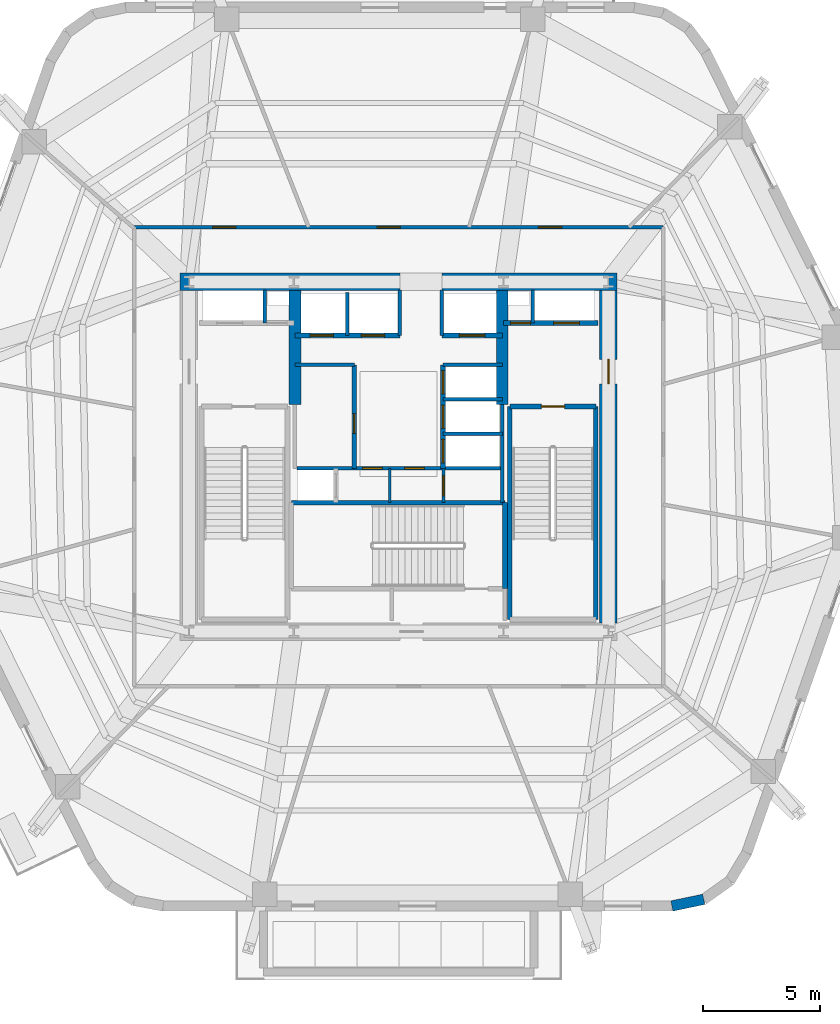
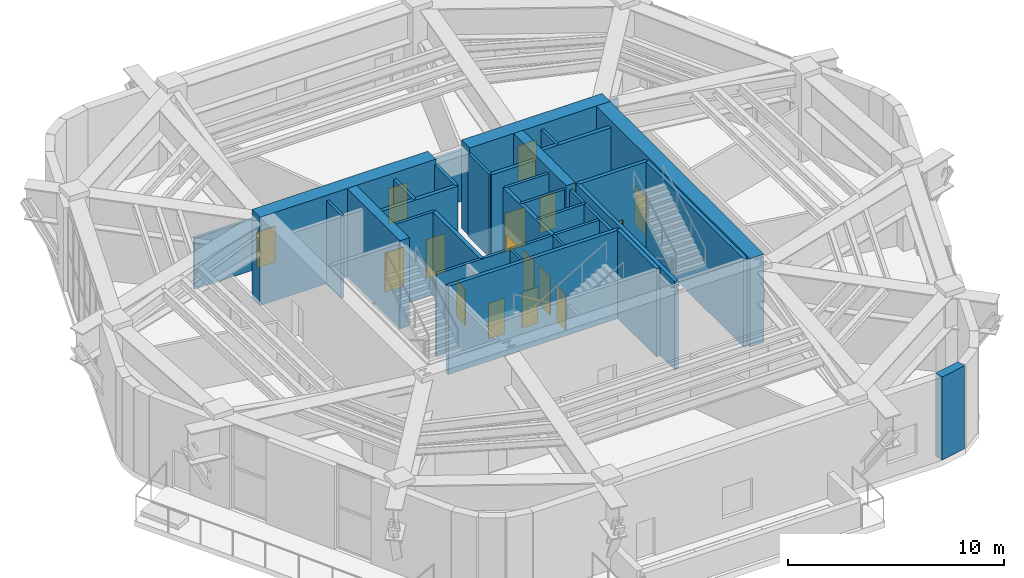
# One storey, part 14 of 18: 30 walls, 17 doors, 17 openings.
"""IFC4 building model written with IfcOpenShell, lengths in metres."""

from ifc_helpers import new_model, si_unit, direction, frame, frame_2d, origin, place, context, subcontext, project, spatial, rectangle, extrude, material, layer, layer_set, type_object, element, fill, save


model = new_model("IFC4")

# Units and contexts
model_context = context("Model", 3, precision=1e-05, world=origin(), true_north=direction((0.0, 1.0)))
body_context = subcontext(model_context, "Body", "Model", "MODEL_VIEW")
ifc_project = project(units=[si_unit("LENGTHUNIT", "METRE"), si_unit("AREAUNIT", "SQUARE_METRE"), si_unit("VOLUMEUNIT", "CUBIC_METRE"), si_unit("PLANEANGLEUNIT", "RADIAN"), si_unit("MASSUNIT", "GRAM", prefix="KILO")], contexts=[model_context])

# Site, building, storey
site_placement = place(None, origin())
site = spatial("IfcSite", under=ifc_project, at=site_placement, CompositionType="ELEMENT")
building_placement = place(site_placement, origin())
building = spatial("IfcBuilding", under=site, at=building_placement, Name="Kilnhurst Terrace Hotel", CompositionType="ELEMENT")
storey_placement = place(building_placement, frame((0.0, 0.0, 201.5)))
storey = spatial("IfcBuildingStorey", under=building, at=storey_placement, Name="L50", CompositionType="ELEMENT", Elevation=201.5)

# Wall
ifc_material_1 = material(Name="Precast concrete C40/50", Category="concrete")
ifc_layer_1 = layer(ifc_material_1, 0.449951171875, Name="Precast concrete C40/50")
ifc_layer_set_1 = layer_set([ifc_layer_1], Name="Precast concrete C40/50")
wall_type_1 = type_object("IfcWallType", Name="WL-BRK-450", PredefinedType="SOLIDWALL", material=ifc_layer_set_1)
wall_1_placement = place(storey_placement, frame((11.720458984375, -19.27490234375, 0.0), z_axis=(0.0, 0.0, 1.0), x_axis=(0.97893106758, 0.204191001093, 0.0)))
element("IfcWall", 1, at=wall_1_placement, inside=storey, type_object=wall_type_1, Name="L50 Rounded Corner Brick Wall C2.1", PredefinedType="SOLIDWALL", context=body_context, shape_type="SweptSolid", body=[
    extrude(rectangle(XDim=1.400146484375, YDim=0.449951171875, at=frame_2d((0.7001953125, 0.0))), origin(), (0.0, 0.0, 1.0), 4.699951171875),
])

# Wall, openings, doors
ifc_material_2 = material(Name="Acoustic Double-Gypsum Corridor Partition Assembly")
ifc_layer_2 = layer(ifc_material_2, 0.14990234375, Name="Acoustic Double-Gypsum Corridor Partition Assembly")
ifc_layer_set_2 = layer_set([ifc_layer_2], Name="Acoustic Double-Gypsum Corridor Partition Assembly")
wall_type_2 = type_object("IfcWallType", Name="WL-COR-150", PredefinedType="PARTITIONING", material=ifc_layer_set_2)
wall_2_placement = place(storey_placement, frame((-11.35009765625, 9.85009765625, 0.0), z_axis=(0.0, 0.0, 1.0), x_axis=(1.0, 0.0, 0.0)))
wall_2 = element("IfcWall", 2, at=wall_2_placement, inside=storey, type_object=wall_type_2, Name="L50 Interior Wall WL-L50-COR-02", PredefinedType="PARTITIONING", context=body_context, shape_type="SweptSolid", body=[
    extrude(rectangle(XDim=22.7001953125, YDim=0.14990234375, at=frame_2d((11.35009765625, 0.0))), origin(), (0.0, 0.0, 1.0), 2.889892578125),
])
opening_1_placement = place(wall_2_placement, frame((17.346923828125, 0.0, 0.0)))
opening_1 = element("IfcOpeningElement", 3, at=opening_1_placement, cuts=wall_2, Name="Opening D-10A", PredefinedType="OPENING", context=body_context, shape_type="SweptSolid", body=[
    extrude(rectangle(XDim=1.0, YDim=2.030029296875, at=frame_2d((0.5, 1.01513671875))), frame((0.0, 0.0849609375, 0.0), z_axis=(0.0, -1.0, 0.0), x_axis=(1.0, 0.0, 0.0)), (0.0, 0.0, 1.0), 0.169921875),
])
opening_2_placement = place(wall_2_placement, frame((10.423095703125, 0.0, 0.0)))
opening_2 = element("IfcOpeningElement", 4, at=opening_2_placement, cuts=wall_2, Name="Opening D-10A", PredefinedType="OPENING", context=body_context, shape_type="SweptSolid", body=[
    extrude(rectangle(XDim=1.0, YDim=2.030029296875, at=frame_2d((0.5, 1.01513671875))), frame((0.0, 0.0849609375, 0.0), z_axis=(0.0, -1.0, 0.0), x_axis=(1.0, 0.0, 0.0)), (0.0, 0.0, 1.0), 0.169921875),
])
opening_3_placement = place(wall_2_placement, frame((3.362060546875, 0.0, 0.0)))
opening_3 = element("IfcOpeningElement", 5, at=opening_3_placement, cuts=wall_2, Name="Opening D-10A", PredefinedType="OPENING", context=body_context, shape_type="SweptSolid", body=[
    extrude(rectangle(XDim=1.0, YDim=2.030029296875, at=frame_2d((0.5, 1.01513671875))), frame((0.0, 0.0849609375, 0.0), z_axis=(0.0, -1.0, 0.0), x_axis=(1.0, 0.0, 0.0)), (0.0, 0.0, 1.0), 0.169921875),
])
ifc_material_3 = material(Name="Solid-Core American White Oak Interior Door")
door_type_1 = type_object("IfcDoorType", Name="DR-INT-1000", OperationType="NOTDEFINED", PredefinedType="DOOR", material=ifc_material_3)
door_1_placement = place(opening_1_placement, origin())
door_1 = element("IfcDoor", 6, at=door_1_placement, inside=storey, type_object=door_type_1, Name="L50 Sky Spa Reception and Thermal Lounge Center Wing Door", OperationType="SINGLE_SWING_RIGHT", OverallHeight=2.030029296875, OverallWidth=1.0, PredefinedType="DOOR", context=body_context, shape_type="SweptSolid", body=[
    extrude(rectangle(XDim=1.0, YDim=2.030029296875, at=frame_2d((0.5, 1.01513671875))), frame((0.0, 0.02490234375, 0.0), z_axis=(0.0, -1.0, 0.0), x_axis=(1.0, 0.0, 0.0)), (0.0, 0.0, 1.0), 0.050048828125),
])
fill(opening_1, door_1)
door_2_placement = place(opening_2_placement, origin())
door_2 = element("IfcDoor", 7, at=door_2_placement, inside=storey, type_object=door_type_1, Name="L50 Sky Spa Reception and Thermal Lounge East Wing Door", OperationType="SINGLE_SWING_LEFT", OverallHeight=2.030029296875, OverallWidth=1.0, PredefinedType="DOOR", context=body_context, shape_type="SweptSolid", body=[
    extrude(rectangle(XDim=1.0, YDim=2.030029296875, at=frame_2d((0.5, 1.01513671875))), frame((0.0, 0.02490234375, 0.0), z_axis=(0.0, -1.0, 0.0), x_axis=(1.0, 0.0, 0.0)), (0.0, 0.0, 1.0), 0.050048828125),
])
fill(opening_2, door_2)
door_3_placement = place(opening_3_placement, origin())
door_3 = element("IfcDoor", 8, at=door_3_placement, inside=storey, type_object=door_type_1, Name="L50 Botanical Hydrotherapy Treatment Suite West Wing Door", OperationType="SINGLE_SWING_RIGHT", OverallHeight=2.030029296875, OverallWidth=1.0, PredefinedType="DOOR", context=body_context, shape_type="SweptSolid", body=[
    extrude(rectangle(XDim=1.0, YDim=2.030029296875, at=frame_2d((0.5, 1.01513671875))), frame((0.0, 0.02490234375, 0.0), z_axis=(0.0, -1.0, 0.0), x_axis=(1.0, 0.0, 0.0)), (0.0, 0.0, 1.0), 0.050048828125),
])
fill(opening_3, door_3)

# Walls
ifc_material_4 = material(Name="Concrete C60/75", Category="concrete")
ifc_layer_3 = layer(ifc_material_4, 0.75, Name="Concrete C60/75")
ifc_layer_set_3 = layer_set([ifc_layer_3], Name="Concrete C60/75")
wall_type_3 = type_object("IfcWallType", Name="WL-CORE-750", PredefinedType="SHEAR", material=ifc_layer_set_3)
wall_3_placement = place(storey_placement, frame((-9.375, 7.5, 0.0), z_axis=(0.0, 0.0, 1.0), x_axis=(1.0, 0.0, 0.0)))
element("IfcWall", 9, at=wall_3_placement, inside=storey, type_object=wall_type_3, Name="L50 Core North West Shear Wall", PredefinedType="SHEAR", context=body_context, shape_type="SweptSolid", body=[
    extrude(rectangle(XDim=9.425048828125, YDim=0.75, at=frame_2d((4.71240234375, 0.0))), origin(), (0.0, 0.0, 1.0), 5.0),
])
wall_4_placement = place(storey_placement, frame((1.85009765625, 7.5, 0.0), z_axis=(0.0, 0.0, 1.0), x_axis=(1.0, 0.0, 0.0)))
element("IfcWall", 10, at=wall_4_placement, inside=storey, type_object=wall_type_3, Name="L50 Core North East Shear Wall", PredefinedType="SHEAR", context=body_context, shape_type="SweptSolid", body=[
    extrude(rectangle(XDim=7.52490234375, YDim=0.75, at=frame_2d((3.762451171875, 0.0))), origin(), (0.0, 0.0, 1.0), 5.0),
])

# Wall, opening, door
wall_5_placement = place(storey_placement, frame((9.0, -7.125, 0.0), z_axis=(0.0, 0.0, 1.0), x_axis=(0.0, 1.0, 0.0)))
wall_5 = element("IfcWall", 11, at=wall_5_placement, inside=storey, type_object=wall_type_3, Name="L50 Core East Shear Wall", PredefinedType="SHEAR", context=body_context, shape_type="SweptSolid", body=[
    extrude(rectangle(XDim=14.25, YDim=0.75, at=frame_2d((7.125, 0.0))), origin(), (0.0, 0.0, 1.0), 5.0),
])
opening_4_placement = place(wall_5_placement, frame((10.25, 0.0, 0.0)))
opening_4 = element("IfcOpeningElement", 12, at=opening_4_placement, cuts=wall_5, Name="Opening D-90A", PredefinedType="OPENING", context=body_context, shape_type="SweptSolid", body=[
    extrude(rectangle(XDim=1.050048828125, YDim=2.14990234375, at=frame_2d((0.52490234375, 1.074951171875))), frame((0.0, 0.385009765625, 0.0), z_axis=(0.0, -1.0, 0.0), x_axis=(1.0, 0.0, 0.0)), (0.0, 0.0, 1.0), 0.77001953125),
])
ifc_material_5 = material(Name="Painted Hollow Metal Steel ASTM A36 Fire Door", Category="steel")
door_type_2 = type_object("IfcDoorType", Name="DR-FD90-1050", OperationType="NOTDEFINED", PredefinedType="DOOR", material=ifc_material_5)
door_4_placement = place(opening_4_placement, origin())
door_4 = element("IfcDoor", 13, at=door_4_placement, inside=storey, type_object=door_type_2, Name="L50 East Firefighting Lobby Door", OperationType="SINGLE_SWING_LEFT", OverallHeight=2.14990234375, OverallWidth=1.050048828125, PredefinedType="DOOR", context=body_context, shape_type="SweptSolid", body=[
    extrude(rectangle(XDim=1.050048828125, YDim=2.14990234375, at=frame_2d((0.52490234375, 1.074951171875))), frame((0.0, 0.02490234375, 0.0), z_axis=(0.0, -1.0, 0.0), x_axis=(1.0, 0.0, 0.0)), (0.0, 0.0, 1.0), 0.050048828125),
])
fill(opening_4, door_4)

# Walls
ifc_layer_4 = layer(ifc_material_4, 0.5, Name="Concrete C60/75")
ifc_layer_set_4 = layer_set([ifc_layer_4], Name="Concrete C60/75")
wall_type_4 = type_object("IfcWallType", Name="WL-CORE-WEB-500", PredefinedType="SHEAR", material=ifc_layer_set_4)
for number, where, z_axis, x_axis, name in (
    (14, (-4.449951171875, 2.25, 0.0), (0.0, 0.0, 1.0), (0.0, 1.0, 0.0), "L50 Core Internal West Shear Web"),
    (15, (4.449951171875, 2.25, 0.0), (0.0, 0.0, 1.0), (0.0, 1.0, 0.0), "L50 Core Internal East Shear Web"),
):
    element("IfcWall", number, at=place(storey_placement, frame(where, z_axis=z_axis, x_axis=x_axis)), inside=storey, type_object=wall_type_4, Name=name, PredefinedType="SHEAR", context=body_context, shape_type="SweptSolid", body=[
        extrude(rectangle(XDim=4.875, YDim=0.5, at=frame_2d((2.4375, 0.0))), origin(), (0.0, 0.0, 1.0), 5.0),
    ])
ifc_material_6 = material(Name="120 mm Moisture-Resistant Tile-Backed Bathroom Partition")
ifc_layer_5 = layer(ifc_material_6, 0.1201171875, Name="120 mm Moisture-Resistant Tile-Backed Bathroom Partition")
ifc_layer_set_5 = layer_set([ifc_layer_5], Name="120 mm Moisture-Resistant Tile-Backed Bathroom Partition")
wall_type_5 = type_object("IfcWallType", Name="WL-PART-120", PredefinedType="PARTITIONING", material=ifc_layer_set_5)
wall_6_placement = place(storey_placement, frame((-0.3798828125, -1.971923828125, 0.0), z_axis=(0.0, 0.0, 1.0), x_axis=(0.0, 1.0, 0.0)))
element("IfcWall", 16, at=wall_6_placement, inside=storey, type_object=wall_type_5, Name="L50 Interior Wall WL-L50-BOH-C1", PredefinedType="PARTITIONING", context=body_context, shape_type="SweptSolid", body=[
    extrude(rectangle(XDim=1.471923828125, YDim=0.1201171875, at=frame_2d((0.73583984375, 0.0))), origin(), (0.0, 0.0, 1.0), 4.699951171875),
])

# Wall, opening, door
wall_7_placement = place(storey_placement, frame((1.919921875, -1.971923828125, 0.0), z_axis=(0.0, 0.0, 1.0), x_axis=(0.0, 1.0, 0.0)))
wall_7 = element("IfcWall", 17, at=wall_7_placement, inside=storey, type_object=wall_type_5, Name="L50 Interior Wall WL-L50-BOH-C2", PredefinedType="PARTITIONING", context=body_context, shape_type="SweptSolid", body=[
    extrude(rectangle(XDim=1.471923828125, YDim=0.1201171875, at=frame_2d((0.73583984375, 0.0))), origin(), (0.0, 0.0, 1.0), 4.699951171875),
])
opening_5_placement = place(wall_7_placement, frame((0.300048828125, 0.0, 0.0)))
opening_5 = element("IfcOpeningElement", 18, at=opening_5_placement, cuts=wall_7, Name="Opening D-08A", PredefinedType="OPENING", context=body_context, shape_type="SweptSolid", body=[
    extrude(rectangle(XDim=0.85009765625, YDim=2.030029296875, at=frame_2d((0.425048828125, 1.01513671875))), frame((0.0, 0.070068359375, 0.0), z_axis=(0.0, -1.0, 0.0), x_axis=(1.0, 0.0, 0.0)), (0.0, 0.0, 1.0), 0.14013671875),
])
ifc_material_7 = material(Name="Moisture-Resistant Lacquered En-suite Bathroom Door")
door_type_3 = type_object("IfcDoorType", Name="DR-INT-850", OperationType="NOTDEFINED", PredefinedType="DOOR", material=ifc_material_7)
door_5_placement = place(opening_5_placement, origin())
door_5 = element("IfcDoor", 19, at=door_5_placement, inside=storey, type_object=door_type_3, Name="L50 Staff Restroom Door", OperationType="SINGLE_SWING_RIGHT", OverallHeight=2.030029296875, OverallWidth=0.85009765625, PredefinedType="DOOR", context=body_context, shape_type="SweptSolid", body=[
    extrude(rectangle(XDim=0.85009765625, YDim=2.030029296875, at=frame_2d((0.425048828125, 1.01513671875))), frame((0.0, 0.02490234375, 0.0), z_axis=(0.0, -1.0, 0.0), x_axis=(1.0, 0.0, 0.0)), (0.0, 0.0, 1.0), 0.050048828125),
])
fill(opening_5, door_5)

# Walls
ifc_material_8 = material(Name="Fire-Rated Gypsum Shaftliner Assembly")
ifc_layer_6 = layer(ifc_material_8, 0.14990234375, Name="Fire-Rated Gypsum Shaftliner Assembly")
ifc_layer_set_6 = layer_set([ifc_layer_6], Name="Fire-Rated Gypsum Shaftliner Assembly")
wall_type_6 = type_object("IfcWallType", Name="WL-SHAFT-150", PredefinedType="PARTITIONING", material=ifc_layer_set_6)
for number, where, z_axis, x_axis, name in (
    (20, (-5.75, 5.739990234375, 0.0), (0.0, 0.0, 1.0), (0.0, 1.0, 0.0), "L50 Interior Wall WL-L50-RIS1-DIV"),
    (21, (5.75, 5.739990234375, 0.0), (0.0, 0.0, 1.0), (0.0, 1.0, 0.0), "L50 Interior Wall WL-L50-RIS2-DIV"),
):
    element("IfcWall", number, at=place(storey_placement, frame(where, z_axis=z_axis, x_axis=x_axis)), inside=storey, type_object=wall_type_6, Name=name, PredefinedType="PARTITIONING", context=body_context, shape_type="SweptSolid", body=[
        extrude(rectangle(XDim=1.409912109375, YDim=0.14990234375, at=frame_2d((0.705078125, 0.0))), origin(), (0.0, 0.0, 1.0), 4.699951171875),
    ])
wall_8_placement = place(storey_placement, frame((-2.199951171875, 5.199951171875, 0.0), z_axis=(0.0, 0.0, 1.0), x_axis=(0.0, 1.0, 0.0)))
element("IfcWall", 22, at=wall_8_placement, inside=storey, type_object=wall_type_6, Name="L50 Interior Wall WL-L50-HR-DIV1", PredefinedType="PARTITIONING", context=body_context, shape_type="SweptSolid", body=[
    extrude(rectangle(XDim=1.85009765625, YDim=0.14990234375, at=frame_2d((0.925048828125, 0.0))), origin(), (0.0, 0.0, 1.0), 4.699951171875),
])
for number, where, z_axis, x_axis, name in (
    (23, (0.050048828125, 5.199951171875, 0.0), (0.0, 0.0, 1.0), (0.0, 1.0, 0.0), "L50 Interior Wall WL-L50-HR-PORTAL-W"),
    (24, (1.85009765625, 5.199951171875, 0.0), (0.0, 0.0, 1.0), (0.0, 1.0, 0.0), "L50 Interior Wall WL-L50-HR-PORTAL-E"),
):
    element("IfcWall", number, at=place(storey_placement, frame(where, z_axis=z_axis, x_axis=x_axis)), inside=storey, type_object=wall_type_6, Name=name, PredefinedType="PARTITIONING", context=body_context, shape_type="SweptSolid", body=[
        extrude(rectangle(XDim=1.949951171875, YDim=0.14990234375, at=frame_2d((0.97509765625, 0.0))), origin(), (0.0, 0.0, 1.0), 4.699951171875),
    ])
wall_9_placement = place(storey_placement, frame((4.449951171875, -1.971923828125, 0.0), z_axis=(0.0, 0.0, 1.0), x_axis=(0.0, 1.0, 0.0)))
element("IfcWall", 25, at=wall_9_placement, inside=storey, type_object=wall_type_6, Name="L50 Interior Wall WL-L50-XLOB-E", PredefinedType="PARTITIONING", context=body_context, shape_type="SweptSolid", body=[
    extrude(rectangle(XDim=4.221923828125, YDim=0.14990234375, at=frame_2d((2.11083984375, 0.0))), origin(), (0.0, 0.0, 1.0), 4.699951171875),
])
for number, where, z_axis, x_axis, name in (
    (26, (-4.449951171875, 3.93994140625, 0.0), (0.0, 0.0, 1.0), (1.0, 0.0, 0.0), "L50 Interior Wall WL-L50-LR-NORTH"),
    (27, (1.89990234375, 3.93994140625, 0.0), (0.0, 0.0, 1.0), (1.0, 0.0, 0.0), "L50 Interior Wall WL-L50-MR-NORTH"),
    (28, (1.89990234375, 0.97998046875, 0.0), (0.0, 0.0, 1.0), (1.0, 0.0, 0.0), "L50 Interior Wall WL-L50-MR-D1"),
    (29, (1.89990234375, 2.4599609375, 0.0), (0.0, 0.0, 1.0), (1.0, 0.0, 0.0), "L50 Interior Wall WL-L50-MR-D2"),
):
    element("IfcWall", number, at=place(storey_placement, frame(where, z_axis=z_axis, x_axis=x_axis)), inside=storey, type_object=wall_type_6, Name=name, PredefinedType="PARTITIONING", context=body_context, shape_type="SweptSolid", body=[
        extrude(rectangle(XDim=2.550048828125, YDim=0.14990234375, at=frame_2d((1.27490234375, 0.0))), origin(), (0.0, 0.0, 1.0), 4.699951171875),
    ])

# Wall, openings, doors
wall_10_placement = place(storey_placement, frame((-4.360107421875, -0.489990234375, 0.0), z_axis=(0.0, 0.0, 1.0), x_axis=(1.0, 0.0, 0.0)))
wall_10 = element("IfcWall", 30, at=wall_10_placement, inside=storey, type_object=wall_type_6, Name="L50 Interior Wall WL-L50-BOH-N", PredefinedType="PARTITIONING", context=body_context, shape_type="SweptSolid", body=[
    extrude(rectangle(XDim=8.72021484375, YDim=0.14990234375, at=frame_2d((4.360107421875, 0.0))), origin(), (0.0, 0.0, 1.0), 4.699951171875),
])
opening_6_placement = place(wall_10_placement, frame((2.81005859375, 0.0, 0.0)))
opening_6 = element("IfcOpeningElement", 31, at=opening_6_placement, cuts=wall_10, Name="Opening D-60D", PredefinedType="OPENING", context=body_context, shape_type="SweptSolid", body=[
    extrude(rectangle(XDim=0.85009765625, YDim=2.030029296875, at=frame_2d((0.425048828125, 1.01513671875))), frame((0.0, 0.0849609375, 0.0), z_axis=(0.0, -1.0, 0.0), x_axis=(1.0, 0.0, 0.0)), (0.0, 0.0, 1.0), 0.169921875),
])
opening_7_placement = place(wall_10_placement, frame((4.610107421875, 0.0, 0.0)))
opening_7 = element("IfcOpeningElement", 32, at=opening_7_placement, cuts=wall_10, Name="Opening D-60D", PredefinedType="OPENING", context=body_context, shape_type="SweptSolid", body=[
    extrude(rectangle(XDim=0.85009765625, YDim=2.030029296875, at=frame_2d((0.425048828125, 1.01513671875))), frame((0.0, 0.0849609375, 0.0), z_axis=(0.0, -1.0, 0.0), x_axis=(1.0, 0.0, 0.0)), (0.0, 0.0, 1.0), 0.169921875),
])
ifc_material_9 = material(Name="Painted Hollow Metal Steel ASTM A36 Riser Door", Category="steel")
door_type_4 = type_object("IfcDoorType", Name="DR-FD60-850", OperationType="NOTDEFINED", PredefinedType="DOOR", material=ifc_material_9)
door_6_placement = place(opening_6_placement, origin())
door_6 = element("IfcDoor", 33, at=door_6_placement, inside=storey, type_object=door_type_4, Name="L50 Housekeeping Station Door", OperationType="SINGLE_SWING_LEFT", OverallHeight=2.030029296875, OverallWidth=0.85009765625, PredefinedType="DOOR", context=body_context, shape_type="SweptSolid", body=[
    extrude(rectangle(XDim=0.85009765625, YDim=2.030029296875, at=frame_2d((0.425048828125, 1.01513671875))), frame((0.0, 0.02490234375, 0.0), z_axis=(0.0, -1.0, 0.0), x_axis=(1.0, 0.0, 0.0)), (0.0, 0.0, 1.0), 0.050048828125),
])
fill(opening_6, door_6)
door_7_placement = place(opening_7_placement, origin())
door_7 = element("IfcDoor", 34, at=door_7_placement, inside=storey, type_object=door_type_4, Name="L50 Beverage Pantry Door", OperationType="SINGLE_SWING_RIGHT", OverallHeight=2.030029296875, OverallWidth=0.85009765625, PredefinedType="DOOR", context=body_context, shape_type="SweptSolid", body=[
    extrude(rectangle(XDim=0.85009765625, YDim=2.030029296875, at=frame_2d((0.425048828125, 1.01513671875))), frame((0.0, 0.02490234375, 0.0), z_axis=(0.0, -1.0, 0.0), x_axis=(1.0, 0.0, 0.0)), (0.0, 0.0, 1.0), 0.050048828125),
])
fill(opening_7, door_7)

ifc_material_10 = material(Name="Autoclaved Aerated Concrete C30/37 and Gypsum Shaft Assembly", Category="concrete")
ifc_layer_7 = layer(ifc_material_10, 0.199951171875, Name="Autoclaved Aerated Concrete C30/37 and Gypsum Shaft Assembly")
ifc_layer_set_7 = layer_set([ifc_layer_7], Name="Autoclaved Aerated Concrete C30/37 and Gypsum Shaft Assembly")
wall_type_7 = type_object("IfcWallType", Name="WL-SHAFT-200", PredefinedType="PARTITIONING", material=ifc_layer_set_7)
wall_11_placement = place(storey_placement, frame((4.5, 5.739990234375, 0.0), z_axis=(0.0, 0.0, 1.0), x_axis=(1.0, 0.0, 0.0)))
wall_11 = element("IfcWall", 35, at=wall_11_placement, inside=storey, type_object=wall_type_7, Name="L50 Interior Wall WL-L50-FSAE2-S", PredefinedType="PARTITIONING", context=body_context, shape_type="SweptSolid", body=[
    extrude(rectangle(XDim=4.050048828125, YDim=0.199951171875, at=frame_2d((2.02490234375, 0.0))), origin(), (0.0, 0.0, 1.0), 4.699951171875),
])
opening_8_placement = place(wall_11_placement, frame((0.300048828125, 0.0, 0.0)))
opening_8 = element("IfcOpeningElement", 36, at=opening_8_placement, cuts=wall_11, Name="Opening D-60D", PredefinedType="OPENING", context=body_context, shape_type="SweptSolid", body=[
    extrude(rectangle(XDim=0.85009765625, YDim=2.030029296875, at=frame_2d((0.425048828125, 1.01513671875))), frame((0.0, 0.10986328125, 0.0), z_axis=(0.0, -1.0, 0.0), x_axis=(1.0, 0.0, 0.0)), (0.0, 0.0, 1.0), 0.219970703125),
])
opening_9_placement = place(wall_11_placement, frame((2.14990234375, 0.0, 0.0)))
opening_9 = element("IfcOpeningElement", 37, at=opening_9_placement, cuts=wall_11, Name="Opening LD-F2", PredefinedType="OPENING", context=body_context, shape_type="SweptSolid", body=[
    extrude(rectangle(XDim=1.10009765625, YDim=2.199951171875, at=frame_2d((0.550048828125, 1.10009765625))), frame((0.0, 0.10986328125, 0.0), z_axis=(0.0, -1.0, 0.0), x_axis=(1.0, 0.0, 0.0)), (0.0, 0.0, 1.0), 0.219970703125),
])
door_8_placement = place(opening_8_placement, origin())
door_8 = element("IfcDoor", 38, at=door_8_placement, inside=storey, type_object=door_type_4, Name="L50 Telecom Riser Door", OperationType="SINGLE_SWING_RIGHT", OverallHeight=2.030029296875, OverallWidth=0.85009765625, PredefinedType="DOOR", context=body_context, shape_type="SweptSolid", body=[
    extrude(rectangle(XDim=0.85009765625, YDim=2.030029296875, at=frame_2d((0.425048828125, 1.01513671875))), frame((0.0, 0.02490234375, 0.0), z_axis=(0.0, -1.0, 0.0), x_axis=(1.0, 0.0, 0.0)), (0.0, 0.0, 1.0), 0.050048828125),
])
fill(opening_8, door_8)
ifc_material_11 = material(Name="Bronze-Anodized Stainless Steel AISI 316L Sliding Door", Category="steel")
door_type_5 = type_object("IfcDoorType", Name="DR-LIFT-1100", OperationType="NOTDEFINED", PredefinedType="DOOR", material=ifc_material_11)
door_9_placement = place(opening_9_placement, origin())
door_9 = element("IfcDoor", 39, at=door_9_placement, inside=storey, type_object=door_type_5, Name="L50 FSAE-2 Landing Door", OperationType="SLIDING_TO_RIGHT", OverallHeight=2.199951171875, OverallWidth=1.10009765625, PredefinedType="DOOR", context=body_context, shape_type="SweptSolid", body=[
    extrude(rectangle(XDim=1.10009765625, YDim=2.199951171875, at=frame_2d((0.550048828125, 1.10009765625))), frame((0.0, 0.02490234375, 0.0), z_axis=(0.0, -1.0, 0.0), x_axis=(1.0, 0.0, 0.0)), (0.0, 0.0, 1.0), 0.050048828125),
])
fill(opening_9, door_9)

wall_12_placement = place(storey_placement, frame((-4.449951171875, 5.199951171875, 0.0), z_axis=(0.0, 0.0, 1.0), x_axis=(1.0, 0.0, 0.0)))
wall_12 = element("IfcWall", 40, at=wall_12_placement, inside=storey, type_object=wall_type_7, Name="L50 Interior Wall WL-L50-HR-SW", PredefinedType="PARTITIONING", context=body_context, shape_type="SweptSolid", body=[
    extrude(rectangle(XDim=4.5, YDim=0.199951171875, at=frame_2d((2.25, 0.0))), origin(), (0.0, 0.0, 1.0), 4.699951171875),
])
opening_10_placement = place(wall_12_placement, frame((0.64990234375, 0.0, 0.0)))
opening_10 = element("IfcOpeningElement", 41, at=opening_10_placement, cuts=wall_12, Name="Opening LD-HR", PredefinedType="OPENING", context=body_context, shape_type="SweptSolid", body=[
    extrude(rectangle(XDim=1.0, YDim=2.199951171875, at=frame_2d((0.5, 1.10009765625))), frame((0.0, 0.10986328125, 0.0), z_axis=(0.0, -1.0, 0.0), x_axis=(1.0, 0.0, 0.0)), (0.0, 0.0, 1.0), 0.219970703125),
])
opening_11_placement = place(wall_12_placement, frame((2.85009765625, 0.0, 0.0)))
opening_11 = element("IfcOpeningElement", 42, at=opening_11_placement, cuts=wall_12, Name="Opening LD-HS", PredefinedType="OPENING", context=body_context, shape_type="SweptSolid", body=[
    extrude(rectangle(XDim=1.0, YDim=2.199951171875, at=frame_2d((0.5, 1.10009765625))), frame((0.0, 0.10986328125, 0.0), z_axis=(0.0, -1.0, 0.0), x_axis=(1.0, 0.0, 0.0)), (0.0, 0.0, 1.0), 0.219970703125),
])
door_type_6 = type_object("IfcDoorType", Name="DR-LIFT-1000", OperationType="NOTDEFINED", PredefinedType="DOOR", material=ifc_material_11)
door_10_placement = place(opening_10_placement, origin())
door_10 = element("IfcDoor", 43, at=door_10_placement, inside=storey, type_object=door_type_6, Name="L50 High Rise Lift HR-1 Landing Door", OperationType="SLIDING_TO_LEFT", OverallHeight=2.199951171875, OverallWidth=1.0, PredefinedType="DOOR", context=body_context, shape_type="SweptSolid", body=[
    extrude(rectangle(XDim=1.0, YDim=2.199951171875, at=frame_2d((0.5, 1.10009765625))), frame((0.0, 0.02490234375, 0.0), z_axis=(0.0, -1.0, 0.0), x_axis=(1.0, 0.0, 0.0)), (0.0, 0.0, 1.0), 0.050048828125),
])
fill(opening_10, door_10)
door_11_placement = place(opening_11_placement, origin())
door_11 = element("IfcDoor", 44, at=door_11_placement, inside=storey, type_object=door_type_6, Name="L50 High Rise Lift HR-3 Landing Door", OperationType="SLIDING_TO_RIGHT", OverallHeight=2.199951171875, OverallWidth=1.0, PredefinedType="DOOR", context=body_context, shape_type="SweptSolid", body=[
    extrude(rectangle(XDim=1.0, YDim=2.199951171875, at=frame_2d((0.5, 1.10009765625))), frame((0.0, 0.02490234375, 0.0), z_axis=(0.0, -1.0, 0.0), x_axis=(1.0, 0.0, 0.0)), (0.0, 0.0, 1.0), 0.050048828125),
])
fill(opening_11, door_11)

# Wall, opening, door
wall_13_placement = place(storey_placement, frame((1.85009765625, 5.199951171875, 0.0), z_axis=(0.0, 0.0, 1.0), x_axis=(1.0, 0.0, 0.0)))
wall_13 = element("IfcWall", 45, at=wall_13_placement, inside=storey, type_object=wall_type_7, Name="L50 Interior Wall WL-L50-HR-SE", PredefinedType="PARTITIONING", context=body_context, shape_type="SweptSolid", body=[
    extrude(rectangle(XDim=2.599853515625, YDim=0.199951171875, at=frame_2d((1.2998046875, 0.0))), origin(), (0.0, 0.0, 1.0), 4.699951171875),
])
opening_12_placement = place(wall_13_placement, frame((0.75, 0.0, 0.0)))
opening_12 = element("IfcOpeningElement", 46, at=opening_12_placement, cuts=wall_13, Name="Opening LD-H2", PredefinedType="OPENING", context=body_context, shape_type="SweptSolid", body=[
    extrude(rectangle(XDim=1.10009765625, YDim=2.199951171875, at=frame_2d((0.550048828125, 1.10009765625))), frame((0.0, 0.10986328125, 0.0), z_axis=(0.0, -1.0, 0.0), x_axis=(1.0, 0.0, 0.0)), (0.0, 0.0, 1.0), 0.219970703125),
])
door_12_placement = place(opening_12_placement, origin())
door_12 = element("IfcDoor", 47, at=door_12_placement, inside=storey, type_object=door_type_5, Name="L50 High Rise Lift HR-2 Landing Door", OperationType="SLIDING_TO_RIGHT", OverallHeight=2.199951171875, OverallWidth=1.10009765625, PredefinedType="DOOR", context=body_context, shape_type="SweptSolid", body=[
    extrude(rectangle(XDim=1.10009765625, YDim=2.199951171875, at=frame_2d((0.550048828125, 1.10009765625))), frame((0.0, 0.02490234375, 0.0), z_axis=(0.0, -1.0, 0.0), x_axis=(1.0, 0.0, 0.0)), (0.0, 0.0, 1.0), 0.050048828125),
])
fill(opening_12, door_12)

wall_14_placement = place(storey_placement, frame((-1.89990234375, -0.5, 0.0), z_axis=(0.0, 0.0, 1.0), x_axis=(0.0, 1.0, 0.0)))
wall_14 = element("IfcWall", 48, at=wall_14_placement, inside=storey, type_object=wall_type_7, Name="L50 Interior Wall WL-L50-LR-FRONT", PredefinedType="PARTITIONING", context=body_context, shape_type="SweptSolid", body=[
    extrude(rectangle(XDim=4.43994140625, YDim=0.199951171875, at=frame_2d((2.219970703125, 0.0))), origin(), (0.0, 0.0, 1.0), 4.699951171875),
])
opening_13_placement = place(wall_14_placement, frame((1.5, 0.0, 0.0)))
opening_13 = element("IfcOpeningElement", 49, at=opening_13_placement, cuts=wall_14, Name="Opening D-60D", PredefinedType="OPENING", context=body_context, shape_type="SweptSolid", body=[
    extrude(rectangle(XDim=0.85009765625, YDim=2.030029296875, at=frame_2d((0.425048828125, 1.01513671875))), frame((0.0, 0.10986328125, 0.0), z_axis=(0.0, -1.0, 0.0), x_axis=(1.0, 0.0, 0.0)), (0.0, 0.0, 1.0), 0.219970703125),
])
door_13_placement = place(opening_13_placement, origin())
door_13 = element("IfcDoor", 50, at=door_13_placement, inside=storey, type_object=door_type_4, Name="L50 Reclaimed Linen Room Door", OperationType="SINGLE_SWING_LEFT", OverallHeight=2.030029296875, OverallWidth=0.85009765625, PredefinedType="DOOR", context=body_context, shape_type="SweptSolid", body=[
    extrude(rectangle(XDim=0.85009765625, YDim=2.030029296875, at=frame_2d((0.425048828125, 1.01513671875))), frame((0.0, 0.02490234375, 0.0), z_axis=(0.0, -1.0, 0.0), x_axis=(1.0, 0.0, 0.0)), (0.0, 0.0, 1.0), 0.050048828125),
])
fill(opening_13, door_13)

# Wall, openings, doors
wall_15_placement = place(storey_placement, frame((1.89990234375, -0.5, 0.0), z_axis=(0.0, 0.0, 1.0), x_axis=(0.0, 1.0, 0.0)))
wall_15 = element("IfcWall", 51, at=wall_15_placement, inside=storey, type_object=wall_type_7, Name="L50 Interior Wall WL-L50-MR-FRONT", PredefinedType="PARTITIONING", context=body_context, shape_type="SweptSolid", body=[
    extrude(rectangle(XDim=4.43994140625, YDim=0.199951171875, at=frame_2d((2.219970703125, 0.0))), origin(), (0.0, 0.0, 1.0), 4.699951171875),
])
opening_14_placement = place(wall_15_placement, frame((0.239990234375, 0.0, 0.0)))
opening_14 = element("IfcOpeningElement", 52, at=opening_14_placement, cuts=wall_15, Name="Opening LD-MR", PredefinedType="OPENING", context=body_context, shape_type="SweptSolid", body=[
    extrude(rectangle(XDim=1.0, YDim=2.199951171875, at=frame_2d((0.5, 1.10009765625))), frame((0.0, 0.10986328125, 0.0), z_axis=(0.0, -1.0, 0.0), x_axis=(1.0, 0.0, 0.0)), (0.0, 0.0, 1.0), 0.219970703125),
])
opening_15_placement = place(wall_15_placement, frame((1.719970703125, 0.0, 0.0)))
opening_15 = element("IfcOpeningElement", 53, at=opening_15_placement, cuts=wall_15, Name="Opening LD-MR", PredefinedType="OPENING", context=body_context, shape_type="SweptSolid", body=[
    extrude(rectangle(XDim=1.0, YDim=2.199951171875, at=frame_2d((0.5, 1.10009765625))), frame((0.0, 0.10986328125, 0.0), z_axis=(0.0, -1.0, 0.0), x_axis=(1.0, 0.0, 0.0)), (0.0, 0.0, 1.0), 0.219970703125),
])
opening_16_placement = place(wall_15_placement, frame((3.199951171875, 0.0, 0.0)))
opening_16 = element("IfcOpeningElement", 54, at=opening_16_placement, cuts=wall_15, Name="Opening LD-MR", PredefinedType="OPENING", context=body_context, shape_type="SweptSolid", body=[
    extrude(rectangle(XDim=1.0, YDim=2.199951171875, at=frame_2d((0.5, 1.10009765625))), frame((0.0, 0.10986328125, 0.0), z_axis=(0.0, -1.0, 0.0), x_axis=(1.0, 0.0, 0.0)), (0.0, 0.0, 1.0), 0.219970703125),
])
door_14_placement = place(opening_14_placement, origin())
door_14 = element("IfcDoor", 55, at=door_14_placement, inside=storey, type_object=door_type_6, Name="L50 Mid Rise Lift MR-1 Landing Door", OperationType="SLIDING_TO_RIGHT", OverallHeight=2.199951171875, OverallWidth=1.0, PredefinedType="DOOR", context=body_context, shape_type="SweptSolid", body=[
    extrude(rectangle(XDim=1.0, YDim=2.199951171875, at=frame_2d((0.5, 1.10009765625))), frame((0.0, 0.02490234375, 0.0), z_axis=(0.0, -1.0, 0.0), x_axis=(1.0, 0.0, 0.0)), (0.0, 0.0, 1.0), 0.050048828125),
])
fill(opening_14, door_14)
door_15_placement = place(opening_15_placement, origin())
door_15 = element("IfcDoor", 56, at=door_15_placement, inside=storey, type_object=door_type_6, Name="L50 Mid Rise Lift MR-2 Landing Door", OperationType="SLIDING_TO_RIGHT", OverallHeight=2.199951171875, OverallWidth=1.0, PredefinedType="DOOR", context=body_context, shape_type="SweptSolid", body=[
    extrude(rectangle(XDim=1.0, YDim=2.199951171875, at=frame_2d((0.5, 1.10009765625))), frame((0.0, 0.02490234375, 0.0), z_axis=(0.0, -1.0, 0.0), x_axis=(1.0, 0.0, 0.0)), (0.0, 0.0, 1.0), 0.050048828125),
])
fill(opening_15, door_15)
door_16_placement = place(opening_16_placement, origin())
door_16 = element("IfcDoor", 57, at=door_16_placement, inside=storey, type_object=door_type_6, Name="L50 Mid Rise Lift MR-3 Landing Door", OperationType="SLIDING_TO_RIGHT", OverallHeight=2.199951171875, OverallWidth=1.0, PredefinedType="DOOR", context=body_context, shape_type="SweptSolid", body=[
    extrude(rectangle(XDim=1.0, YDim=2.199951171875, at=frame_2d((0.5, 1.10009765625))), frame((0.0, 0.02490234375, 0.0), z_axis=(0.0, -1.0, 0.0), x_axis=(1.0, 0.0, 0.0)), (0.0, 0.0, 1.0), 0.050048828125),
])
fill(opening_16, door_16)

# Walls
ifc_material_12 = material(Name="Concrete C50/60", Category="concrete")
ifc_layer_8 = layer(ifc_material_12, 0.199951171875, Name="Concrete C50/60")
ifc_layer_set_8 = layer_set([ifc_layer_8], Name="Concrete C50/60")
wall_type_8 = type_object("IfcWallType", Name="WL-STAIR-RC-200", PredefinedType="SHEAR", material=ifc_layer_set_8)
for number, where, z_axis, x_axis, name in (
    (58, (4.77197265625, -6.985107421875, 0.0), (0.0, 0.0, 1.0), (0.0, 1.0, 0.0), "L50 Structural Stair Shaft Wall WL-L50-ST2-W"),
    (59, (8.4580078125, -6.985107421875, 0.0), (0.0, 0.0, 1.0), (0.0, 1.0, 0.0), "L50 Structural Stair Shaft Wall WL-L50-ST2-E"),
):
    element("IfcWall", number, at=place(storey_placement, frame(where, z_axis=z_axis, x_axis=x_axis)), inside=storey, type_object=wall_type_8, Name=name, PredefinedType="SHEAR", context=body_context, shape_type="SweptSolid", body=[
        extrude(rectangle(XDim=9.14306640625, YDim=0.199951171875, at=frame_2d((4.571533203125, 0.0))), origin(), (0.0, 0.0, 1.0), 5.0),
    ])

# Wall, opening, door
wall_16_placement = place(storey_placement, frame((4.77197265625, 2.157958984375, 0.0), z_axis=(0.0, 0.0, 1.0), x_axis=(1.0, 0.0, 0.0)))
wall_16 = element("IfcWall", 60, at=wall_16_placement, inside=storey, type_object=wall_type_8, Name="L50 Structural Stair Shaft Wall WL-L50-ST2-N", PredefinedType="SHEAR", context=body_context, shape_type="SweptSolid", body=[
    extrude(rectangle(XDim=3.68603515625, YDim=0.199951171875, at=frame_2d((1.843017578125, 0.0))), origin(), (0.0, 0.0, 1.0), 5.0),
])
opening_17_placement = place(wall_16_placement, frame((1.35009765625, 0.0, 0.0)))
opening_17 = element("IfcOpeningElement", 61, at=opening_17_placement, cuts=wall_16, Name="Opening D-90B", PredefinedType="OPENING", context=body_context, shape_type="SweptSolid", body=[
    extrude(rectangle(XDim=1.0, YDim=2.14990234375, at=frame_2d((0.5, 1.074951171875))), frame((0.0, 0.10986328125, 0.0), z_axis=(0.0, -1.0, 0.0), x_axis=(1.0, 0.0, 0.0)), (0.0, 0.0, 1.0), 0.219970703125),
])
door_type_7 = type_object("IfcDoorType", Name="DR-FD90-1000", OperationType="NOTDEFINED", PredefinedType="DOOR", material=ifc_material_5)
door_17_placement = place(opening_17_placement, origin())
door_17 = element("IfcDoor", 62, at=door_17_placement, inside=storey, type_object=door_type_7, Name="L50 Stair ST-2 Door", OperationType="SINGLE_SWING_RIGHT", OverallHeight=2.14990234375, OverallWidth=1.0, PredefinedType="DOOR", context=body_context, shape_type="SweptSolid", body=[
    extrude(rectangle(XDim=1.0, YDim=2.14990234375, at=frame_2d((0.5, 1.074951171875))), frame((0.0, 0.02490234375, 0.0), z_axis=(0.0, -1.0, 0.0), x_axis=(1.0, 0.0, 0.0)), (0.0, 0.0, 1.0), 0.050048828125),
])
fill(opening_17, door_17)

# Walls
wall_17_placement = place(storey_placement, frame((-4.60791015625, -1.971923828125, 0.0), z_axis=(0.0, 0.0, 1.0), x_axis=(1.0, 0.0, 0.0)))
element("IfcWall", 63, at=wall_17_placement, inside=storey, type_object=wall_type_8, Name="L50 Structural Stair Shaft Wall WL-L50-ST3-N", PredefinedType="SHEAR", context=body_context, shape_type="SweptSolid", body=[
    extrude(rectangle(XDim=9.166015625, YDim=0.199951171875, at=frame_2d((4.5830078125, 0.0))), origin(), (0.0, 0.0, 1.0), 5.0),
])
wall_18_placement = place(storey_placement, frame((4.55810546875, -5.657958984375, 0.0), z_axis=(0.0, 0.0, 1.0), x_axis=(0.0, 1.0, 0.0)))
element("IfcWall", 64, at=wall_18_placement, inside=storey, type_object=wall_type_8, Name="L50 Structural Stair Shaft Wall WL-L50-ST3-E", PredefinedType="SHEAR", context=body_context, shape_type="SweptSolid", body=[
    extrude(rectangle(XDim=3.68603515625, YDim=0.199951171875, at=frame_2d((1.843017578125, 0.0))), origin(), (0.0, 0.0, 1.0), 5.0),
])

save(model, "model.ifc")
